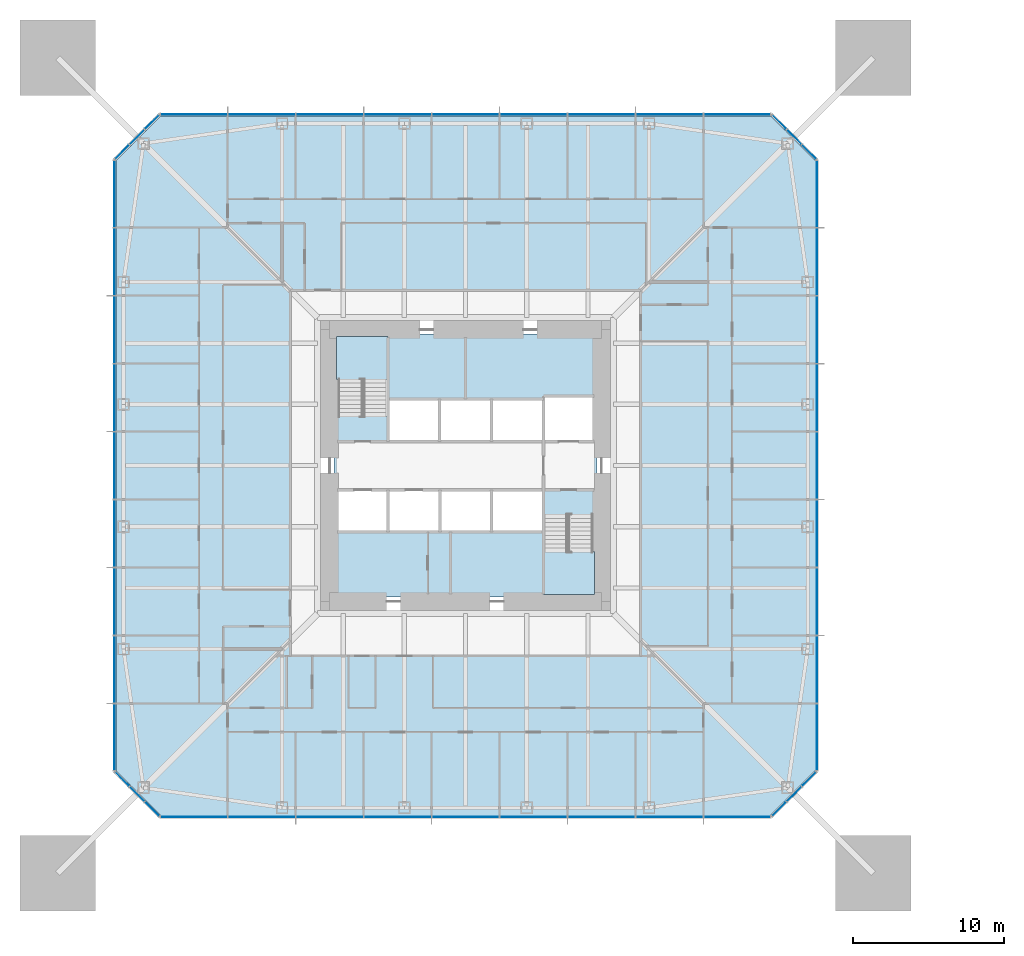
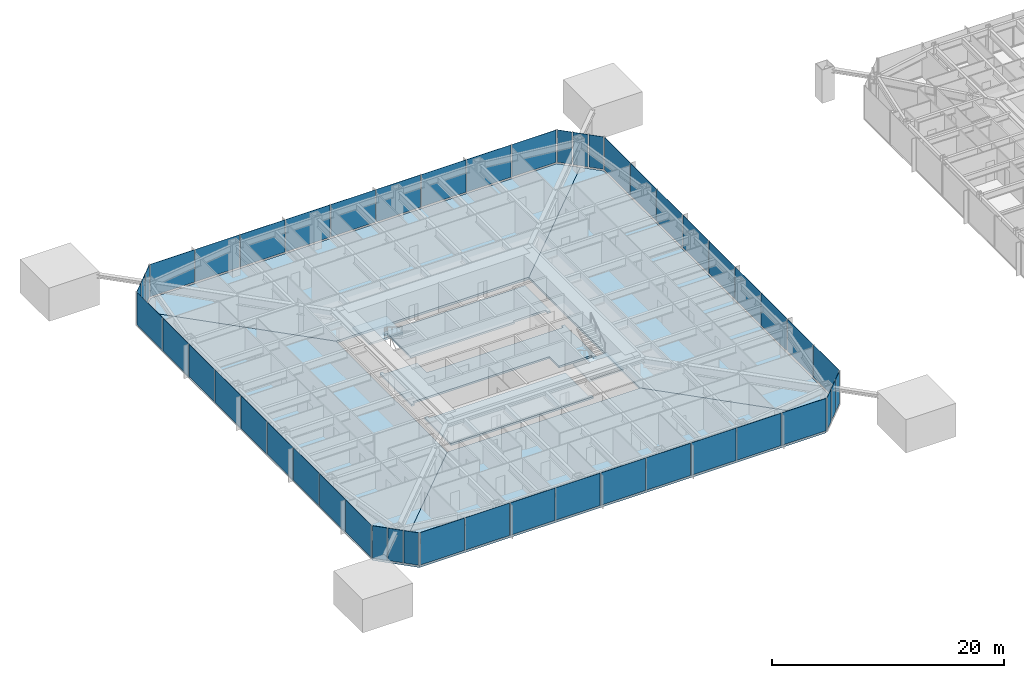
# One storey, part 12 of 26: 48 plates, 9 slabs, 10 elements without a shape of their own.
"""IFC4 building model written with IfcOpenShell, lengths in metres."""

import ifcopenshell
import ifcopenshell.guid

model = None  # the IFC model being written
_history = None  # IfcOwnerHistory: only IFC2X3 demands one
_inside = {}  # id of a spatial element -> (the spatial element, [elements in it])
_under = {}  # id of a project, library or spatial element -> (it, [spatial elements below it])
_declared = {}  # id of a project -> (the project, [libraries it declares])
_typed = {}  # id of a type object -> (the type object, [elements of that type])
_made_of = {}  # id of a material, layer set ... -> (it, [elements and type objects made of it])


def new_model(schema):
    """Start an empty IFC model of exactly this schema.

    Asked for "IFC4X3", IfcOpenShell would pick the latest addendum, in which some entities
    have other attributes; the version numbers below select the first issue.
    IFC2X3 requires an IfcOwnerHistory on every rooted entity: one is made here for all.
    """
    global model, _history
    if schema == "IFC4X3":
        model = ifcopenshell.file(schema_version=(4, 3, 0, 0))
    else:
        model = ifcopenshell.file(schema=schema)
    _inside.clear()
    _under.clear()
    _declared.clear()
    _typed.clear()
    _made_of.clear()
    _history = None
    if model.schema == "IFC2X3":
        org = make("IfcOrganization", Name="unknown")
        user = make(
            "IfcPersonAndOrganization",
            ThePerson=make("IfcPerson", FamilyName="unknown"),
            TheOrganization=org,
        )
        app = make(
            "IfcApplication",
            ApplicationDeveloper=org,
            Version="unknown",
            ApplicationFullName="unknown",
            ApplicationIdentifier="unknown",
        )
        _history = make(
            "IfcOwnerHistory",
            OwningUser=user,
            OwningApplication=app,
            ChangeAction="ADDED",
            CreationDate=0,
        )
    return model


def make(cls, **values):
    """One entity of the class cls with the attributes given. An attribute that is None is left unset."""
    return model.create_entity(
        cls, **{name: value for name, value in values.items() if value is not None}
    )


def rooted(cls, **values):
    """An entity with a GlobalId (a new one), such as an element, a storey or a relation."""
    return make(cls, GlobalId=ifcopenshell.guid.new(), OwnerHistory=_history, **values)


def si_unit(unit_type, name, prefix=None):
    """IfcSIUnit, for example si_unit("LENGTHUNIT", "METRE", prefix="MILLI")."""
    return make("IfcSIUnit", UnitType=unit_type, Prefix=prefix, Name=name)


def assignment(units):
    """IfcUnitAssignment: the units of a project."""
    return None if units is None else make("IfcUnitAssignment", Units=units)


def point(xyz):
    """IfcCartesianPoint."""
    return None if xyz is None else make("IfcCartesianPoint", Coordinates=xyz)


def direction(xyz):
    """IfcDirection."""
    return None if xyz is None else make("IfcDirection", DirectionRatios=xyz)


def frame(location, z_axis=None, x_axis=None):
    """IfcAxis2Placement3D, a coordinate frame: its origin and axes. An axis left out is left unset."""
    return make(
        "IfcAxis2Placement3D",
        Location=point(location),
        Axis=direction(z_axis),
        RefDirection=direction(x_axis),
    )


def frame_2d(location, x_axis=None):
    """IfcAxis2Placement2D, a coordinate frame in the plane: its origin and x axis."""
    return make(
        "IfcAxis2Placement2D", Location=point(location), RefDirection=direction(x_axis)
    )


def origin():
    """The frame at (0, 0, 0) with its axes left unset."""
    return frame((0.0, 0.0, 0.0))


def origin_2d():
    """The frame at (0, 0) in the plane with its x axis left unset."""
    return frame_2d((0.0, 0.0))


def place(relative_to, where):
    """IfcLocalPlacement: puts the frame where relative to a parent placement (None: the world)."""
    return make(
        "IfcLocalPlacement", PlacementRelTo=relative_to, RelativePlacement=where
    )


def context(
    kind, dimensions, precision=None, world=None, true_north=None, identifier=None
):
    """IfcGeometricRepresentationContext, for example the 3D "Model" context."""
    return make(
        "IfcGeometricRepresentationContext",
        ContextIdentifier=identifier,
        ContextType=kind,
        CoordinateSpaceDimension=dimensions,
        Precision=precision,
        WorldCoordinateSystem=world,
        TrueNorth=true_north,
    )


def subcontext(parent, identifier, kind, view, scale=None):
    """IfcGeometricRepresentationSubContext, for example "Body" below "Model"."""
    return make(
        "IfcGeometricRepresentationSubContext",
        ContextIdentifier=identifier,
        ContextType=kind,
        ParentContext=parent,
        TargetScale=scale,
        TargetView=view,
    )


def project(units=None, contexts=None):
    """IfcProject with its units and contexts."""
    return rooted(
        "IfcProject",
        Name="project",
        RepresentationContexts=contexts,
        UnitsInContext=assignment(units),
    )


def spatial(cls, under=None, at=None, **own):
    """A site, building, storey or space (cls), placed at a placement, below another one or the project."""
    s = rooted(cls, ObjectPlacement=at, **own)
    if under is not None:
        _under.setdefault(under.id(), (under, []))[1].append(s)
    return s


def polyline(points):
    """IfcPolyline through the points."""
    return make("IfcPolyline", Points=[point(p) for p in points])


def profile(cls, at=None, kind="AREA", **sizes):
    """A parametric profile (cls). Its sizes go by their IFC names, for example OverallWidth=200.0."""
    return make(cls, ProfileType=kind, Position=at, **sizes)


def rectangle(**sizes):
    """IfcRectangleProfileDef."""
    return profile("IfcRectangleProfileDef", **sizes)


def outline(outer, holes=None, kind="AREA"):
    """IfcArbitraryClosedProfileDef: a profile drawn as a closed curve; with holes, ...WithVoids."""
    if holes is None:
        return make("IfcArbitraryClosedProfileDef", ProfileType=kind, OuterCurve=outer)
    return make(
        "IfcArbitraryProfileDefWithVoids",
        ProfileType=kind,
        OuterCurve=outer,
        InnerCurves=holes,
    )


def extrude(swept, where, along, depth):
    """IfcExtrudedAreaSolid: the profile swept, set in the frame where, extruded along a direction by depth."""
    return make(
        "IfcExtrudedAreaSolid",
        SweptArea=swept,
        Position=where,
        ExtrudedDirection=direction(along),
        Depth=depth,
    )


def shape(context_of_items, identifier, shape_type, items):
    """IfcShapeRepresentation: the items that make up one representation, for example the "Body"."""
    return make(
        "IfcShapeRepresentation",
        ContextOfItems=context_of_items,
        RepresentationIdentifier=identifier,
        RepresentationType=shape_type,
        Items=items,
    )


def material(Name=None, Category=None):
    """IfcMaterial."""
    return make("IfcMaterial", Name=Name, Category=Category)


def layer(
    of_material, thickness, ventilated=None, Name=None, Category=None, Priority=None
):
    """IfcMaterialLayer: one layer of a wall or slab, of a material (None: an air gap)."""
    return make(
        "IfcMaterialLayer",
        Material=of_material,
        LayerThickness=thickness,
        IsVentilated=ventilated,
        Name=Name,
        Category=Category,
        Priority=Priority,
    )


def layer_set(layers, Name=None):
    """IfcMaterialLayerSet."""
    return make("IfcMaterialLayerSet", MaterialLayers=layers, LayerSetName=Name)


def constituent(of_material, Name=None, Category=None, fraction=None):
    """IfcMaterialConstituent: one of the materials an element consists of."""
    return make(
        "IfcMaterialConstituent",
        Name=Name,
        Material=of_material,
        Fraction=fraction,
        Category=Category,
    )


def constituent_set(constituents=None, Name=None):
    """IfcMaterialConstituentSet."""
    return make(
        "IfcMaterialConstituentSet", Name=Name, MaterialConstituents=constituents
    )


def made_of(thing, what):
    """Note that an element or type object is made of a material, layer set ...; save() writes the relation."""
    if what is not None:
        _made_of.setdefault(what.id(), (what, []))[1].append(thing)
    return thing


def type_object(cls, material=None, **own):
    """A type object (cls), such as IfcWallType, which elements share."""
    return made_of(rooted(cls, **own), material)


def element(
    cls,
    number,
    at=None,
    inside=None,
    cuts=None,
    type_object=None,
    material=None,
    context=None,
    identifier="Body",
    shape_type=None,
    held_by="IfcProductDefinitionShape",
    body=None,
    shapes=None,
    **own,
):
    """One element of the class cls, such as IfcWall. Its Tag is "e" and its number.

    at: its placement. inside: the storey or other place that contains it. cuts: it is an
    opening in that element (IfcRelVoidsElement). A single representation is given by context,
    identifier, shape_type and body (its items); several are given by shapes. held_by: the class
    of the entity that holds the representations. save() writes the other relations.
    """
    e = rooted(cls, Tag="e%d" % number, ObjectPlacement=at, **own)
    if body is not None:
        shapes = [shape(context, identifier, shape_type, body)]
    if shapes is not None:
        e.Representation = make(held_by, Representations=shapes)
    if inside is not None:
        _inside.setdefault(inside.id(), (inside, []))[1].append(e)
    if cuts is not None:
        rooted(
            "IfcRelVoidsElement", RelatingBuildingElement=cuts, RelatedOpeningElement=e
        )
    if type_object is not None:
        _typed.setdefault(type_object.id(), (type_object, []))[1].append(e)
    return made_of(e, material)


def aggregate(whole, parts):
    """IfcRelAggregates: a whole, such as a stair, and the parts it consists of."""
    return rooted("IfcRelAggregates", RelatingObject=whole, RelatedObjects=parts)


def save(model, path):
    """Write the relations noted so far, then the file.

    IfcRelAggregates (storeys below a building ...), IfcRelContainedInSpatialStructure (elements
    in a storey), IfcRelDefinesByType, IfcRelAssociatesMaterial and IfcRelDeclares: one each for
    every whole, place, type object, material and project.
    """
    for whole, parts in _under.values():
        aggregate(whole, parts)
    for where, things in _inside.values():
        rooted(
            "IfcRelContainedInSpatialStructure",
            RelatedElements=things,
            RelatingStructure=where,
        )
    for kind, things in _typed.values():
        rooted("IfcRelDefinesByType", RelatedObjects=things, RelatingType=kind)
    for what, things in _made_of.values():
        rooted("IfcRelAssociatesMaterial", RelatedObjects=things, RelatingMaterial=what)
    for by, libraries in _declared.values():
        rooted("IfcRelDeclares", RelatingContext=by, RelatedDefinitions=libraries)
    model.write(path)


model = new_model("IFC4")

# Units and contexts
model_context = context("Model", 3, precision=1e-05, world=origin(), true_north=direction((0.0, 1.0)))
body_context = subcontext(model_context, "Body", "Model", "MODEL_VIEW")
ifc_project = project(units=[si_unit("LENGTHUNIT", "METRE"), si_unit("AREAUNIT", "SQUARE_METRE"), si_unit("VOLUMEUNIT", "CUBIC_METRE"), si_unit("PLANEANGLEUNIT", "RADIAN"), si_unit("MASSUNIT", "GRAM", prefix="KILO")], contexts=[model_context])

# Site, building, storey
site_placement = place(None, origin())
site = spatial("IfcSite", under=ifc_project, at=site_placement, CompositionType="ELEMENT")
building_placement = place(site_placement, origin())
building = spatial("IfcBuilding", under=site, at=building_placement, Name="Iwan Alto Co-Living Towers", CompositionType="ELEMENT")
storey_placement = place(building_placement, frame((0.0, 0.0, 18.5)))
storey = spatial("IfcBuildingStorey", under=building, at=storey_placement, Name="L04", CompositionType="ELEMENT", Elevation=18.5)

# Slabs
ifc_material_1 = material(Name="Concrete f'c 30 MPa", Category="concrete")
ifc_layer_1 = layer(ifc_material_1, 0.199951171875)
ifc_layer_set_1 = layer_set([ifc_layer_1], Name="CORE FLOOR SLAB 200")
slab_type_1 = type_object("IfcSlabType", Name="CORE FLOOR SLAB 200", PredefinedType="FLOOR", material=ifc_layer_set_1)
slab_1_placement = place(storey_placement, frame((0.0, 0.0, -0.199951171875)))
element("IfcSlab", 1, at=slab_1_placement, inside=storey, type_object=slab_type_1, Name="T1 core floor L04", PredefinedType="FLOOR", context=body_context, shape_type="SweptSolid", body=[
    extrude(outline(polyline([(8.699951171875, -3.580078125), (8.39990234375, -3.580078125), (8.39990234375, -3.27001953125), (5.14990234375, -3.27001953125), (5.14990234375, -1.60009765625), (1.72509765625, -1.60009765625), (-1.699951171875, -1.60009765625), (-5.125, -1.60009765625), (-8.39990234375, -1.60009765625), (-8.39990234375, -1.909912109375), (-8.699951171875, -1.909912109375), (-8.699951171875, 3.580078125), (-8.39990234375, 3.580078125), (-8.39990234375, 3.27001953125), (-5.14990234375, 3.27001953125), (-5.14990234375, 1.60009765625), (-1.717041015625, 1.60009765625), (1.717041015625, 1.60009765625), (5.14990234375, 1.60009765625), (8.39990234375, 1.60009765625), (8.39990234375, 1.909912109375), (8.699951171875, 1.909912109375), (8.699951171875, -3.580078125)])), origin(), (0.0, 0.0, 1.0), 0.199951171875),
])
slab_2_placement = place(storey_placement, frame((0.0, 0.0, -0.199951171875)))
element("IfcSlab", 2, at=slab_2_placement, inside=storey, type_object=slab_type_1, Name="T1 core floor L04", PredefinedType="FLOOR", context=body_context, shape_type="SweptSolid", body=[
    extrude(outline(polyline([(-1.699951171875, -4.39990234375), (1.72509765625, -4.39990234375), (5.14990234375, -4.39990234375), (5.14990234375, -8.39990234375), (5.4599609375, -8.39990234375), (5.4599609375, -8.699951171875), (-8.699951171875, -8.699951171875), (-8.699951171875, -4.090087890625), (-8.39990234375, -4.090087890625), (-8.39990234375, -4.39990234375), (-5.125, -4.39990234375), (-1.699951171875, -4.39990234375)])), origin(), (0.0, 0.0, 1.0), 0.199951171875),
])
slab_3_placement = place(storey_placement, frame((0.0, 0.0, -0.199951171875)))
element("IfcSlab", 3, at=slab_3_placement, inside=storey, type_object=slab_type_1, Name="T1 core floor L04", PredefinedType="FLOOR", context=body_context, shape_type="SweptSolid", body=[
    extrude(outline(polyline([(1.717041015625, 4.39990234375), (-1.717041015625, 4.39990234375), (-5.14990234375, 4.39990234375), (-5.14990234375, 8.39990234375), (-5.4599609375, 8.39990234375), (-5.4599609375, 8.699951171875), (8.699951171875, 8.699951171875), (8.699951171875, 4.2900390625), (8.39990234375, 4.2900390625), (8.39990234375, 4.60009765625), (5.14990234375, 4.60009765625), (5.14990234375, 4.39990234375), (1.717041015625, 4.39990234375)])), origin(), (0.0, 0.0, 1.0), 0.199951171875),
])

# Curtain wall, plates
ifc_material_2 = material(Name="Bronze aluminium unitised frame", Category="aluminium")
curtain_wall_type_1 = type_object("IfcCurtainWallType", Name="CURTAIN WALL CW-A", PredefinedType="NOTDEFINED", material=ifc_material_2)
curtain_wall_1_placement = place(storey_placement, origin())
curtain_wall_1 = element("IfcCurtainWall", 4, at=curtain_wall_1_placement, inside=storey, type_object=curtain_wall_type_1, Name="T1 curtain wall S L04", PredefinedType="NOTDEFINED")
ifc_material_3 = material(Name="Bronze-tinted insulating glass", Category="glass")
ifc_layer_2 = layer(ifc_material_3, 0.031982421875)
ifc_layer_set_2 = layer_set([ifc_layer_2], Name="CW-A PANEL TINTED IGU 32")
plate_type_1 = type_object("IfcPlateType", Name="CW-A PANEL TINTED IGU 32", PredefinedType="CURTAIN_PANEL", material=ifc_layer_set_2)
plate_1_placement = place(storey_placement, frame((-17.97998046875, -23.25, 0.10009765625), z_axis=(0.0, 0.0, 1.0), x_axis=(1.0, 0.0, 0.0)))
plate_1 = element("IfcPlate", 5, at=plate_1_placement, type_object=plate_type_1, Name="CW-A panel 1.1", PredefinedType="CURTAIN_PANEL", context=body_context, shape_type="SweptSolid", body=[
    extrude(rectangle(XDim=4.3798828125, YDim=0.031982421875, at=origin_2d()), origin(), (0.0, 0.0, 1.0), 3.39990234375),
])
plate_2_placement = place(storey_placement, frame((-13.5, -23.25, 0.10009765625), z_axis=(0.0, 0.0, 1.0), x_axis=(1.0, 0.0, 0.0)))
plate_2 = element("IfcPlate", 6, at=plate_2_placement, type_object=plate_type_1, Name="CW-A panel 2.1", PredefinedType="CURTAIN_PANEL", context=body_context, shape_type="SweptSolid", body=[
    extrude(rectangle(XDim=4.419921875, YDim=0.031982421875, at=origin_2d()), origin(), (0.0, 0.0, 1.0), 3.39990234375),
])
plate_3_placement = place(storey_placement, frame((-9.0, -23.25, 0.10009765625), z_axis=(0.0, 0.0, 1.0), x_axis=(1.0, 0.0, 0.0)))
plate_3 = element("IfcPlate", 7, at=plate_3_placement, type_object=plate_type_1, Name="CW-A panel 3.1", PredefinedType="CURTAIN_PANEL", context=body_context, shape_type="SweptSolid", body=[
    extrude(rectangle(XDim=4.419921875, YDim=0.031982421875, at=origin_2d()), origin(), (0.0, 0.0, 1.0), 3.39990234375),
])
plate_4_placement = place(storey_placement, frame((-4.5, -23.25, 0.10009765625), z_axis=(0.0, 0.0, 1.0), x_axis=(1.0, 0.0, 0.0)))
plate_4 = element("IfcPlate", 8, at=plate_4_placement, type_object=plate_type_1, Name="CW-A panel 4.1", PredefinedType="CURTAIN_PANEL", context=body_context, shape_type="SweptSolid", body=[
    extrude(rectangle(XDim=4.419921875, YDim=0.031982421875, at=origin_2d()), origin(), (0.0, 0.0, 1.0), 3.39990234375),
])
plate_5_placement = place(storey_placement, frame((0.0, -23.25, 0.10009765625), z_axis=(0.0, 0.0, 1.0), x_axis=(1.0, 0.0, 0.0)))
plate_5 = element("IfcPlate", 9, at=plate_5_placement, type_object=plate_type_1, Name="CW-A panel 5.1", PredefinedType="CURTAIN_PANEL", context=body_context, shape_type="SweptSolid", body=[
    extrude(rectangle(XDim=4.419921875, YDim=0.031982421875, at=origin_2d()), origin(), (0.0, 0.0, 1.0), 3.39990234375),
])
plate_6_placement = place(storey_placement, frame((4.5, -23.25, 0.10009765625), z_axis=(0.0, 0.0, 1.0), x_axis=(1.0, 0.0, 0.0)))
plate_6 = element("IfcPlate", 10, at=plate_6_placement, type_object=plate_type_1, Name="CW-A panel 6.1", PredefinedType="CURTAIN_PANEL", context=body_context, shape_type="SweptSolid", body=[
    extrude(rectangle(XDim=4.419921875, YDim=0.031982421875, at=origin_2d()), origin(), (0.0, 0.0, 1.0), 3.39990234375),
])
plate_7_placement = place(storey_placement, frame((9.0, -23.25, 0.10009765625), z_axis=(0.0, 0.0, 1.0), x_axis=(1.0, 0.0, 0.0)))
plate_7 = element("IfcPlate", 11, at=plate_7_placement, type_object=plate_type_1, Name="CW-A panel 7.1", PredefinedType="CURTAIN_PANEL", context=body_context, shape_type="SweptSolid", body=[
    extrude(rectangle(XDim=4.419921875, YDim=0.031982421875, at=origin_2d()), origin(), (0.0, 0.0, 1.0), 3.39990234375),
])
plate_8_placement = place(storey_placement, frame((13.5, -23.25, 0.10009765625), z_axis=(0.0, 0.0, 1.0), x_axis=(1.0, 0.0, 0.0)))
plate_8 = element("IfcPlate", 12, at=plate_8_placement, type_object=plate_type_1, Name="CW-A panel 8.1", PredefinedType="CURTAIN_PANEL", context=body_context, shape_type="SweptSolid", body=[
    extrude(rectangle(XDim=4.419921875, YDim=0.031982421875, at=origin_2d()), origin(), (0.0, 0.0, 1.0), 3.39990234375),
])
plate_9_placement = place(storey_placement, frame((17.97998046875, -23.25, 0.10009765625), z_axis=(0.0, 0.0, 1.0), x_axis=(1.0, 0.0, 0.0)))
plate_9 = element("IfcPlate", 13, at=plate_9_placement, type_object=plate_type_1, Name="CW-A panel 9.1", PredefinedType="CURTAIN_PANEL", context=body_context, shape_type="SweptSolid", body=[
    extrude(rectangle(XDim=4.3798828125, YDim=0.031982421875, at=origin_2d()), origin(), (0.0, 0.0, 1.0), 3.39990234375),
])
aggregate(curtain_wall_1, [plate_1, plate_2, plate_3, plate_4, plate_5, plate_6, plate_7, plate_8, plate_9])

curtain_wall_2_placement = place(storey_placement, origin())
curtain_wall_2 = element("IfcCurtainWall", 14, at=curtain_wall_2_placement, inside=storey, type_object=curtain_wall_type_1, Name="T1 curtain wall E L04", PredefinedType="NOTDEFINED")
plate_10_placement = place(storey_placement, frame((23.25, -17.97998046875, 0.10009765625), z_axis=(0.0, 0.0, 1.0), x_axis=(0.0, 1.0, 0.0)))
plate_10 = element("IfcPlate", 15, at=plate_10_placement, type_object=plate_type_1, Name="CW-A panel 1.1", PredefinedType="CURTAIN_PANEL", context=body_context, shape_type="SweptSolid", body=[
    extrude(rectangle(XDim=4.3798828125, YDim=0.031982421875, at=origin_2d()), origin(), (0.0, 0.0, 1.0), 3.39990234375),
])
plate_11_placement = place(storey_placement, frame((23.25, -13.5, 0.10009765625), z_axis=(0.0, 0.0, 1.0), x_axis=(0.0, 1.0, 0.0)))
plate_11 = element("IfcPlate", 16, at=plate_11_placement, type_object=plate_type_1, Name="CW-A panel 2.1", PredefinedType="CURTAIN_PANEL", context=body_context, shape_type="SweptSolid", body=[
    extrude(rectangle(XDim=4.419921875, YDim=0.031982421875, at=origin_2d()), origin(), (0.0, 0.0, 1.0), 3.39990234375),
])
plate_12_placement = place(storey_placement, frame((23.25, -9.0, 0.10009765625), z_axis=(0.0, 0.0, 1.0), x_axis=(0.0, 1.0, 0.0)))
plate_12 = element("IfcPlate", 17, at=plate_12_placement, type_object=plate_type_1, Name="CW-A panel 3.1", PredefinedType="CURTAIN_PANEL", context=body_context, shape_type="SweptSolid", body=[
    extrude(rectangle(XDim=4.419921875, YDim=0.031982421875, at=origin_2d()), origin(), (0.0, 0.0, 1.0), 3.39990234375),
])
plate_13_placement = place(storey_placement, frame((23.25, -4.5, 0.10009765625), z_axis=(0.0, 0.0, 1.0), x_axis=(0.0, 1.0, 0.0)))
plate_13 = element("IfcPlate", 18, at=plate_13_placement, type_object=plate_type_1, Name="CW-A panel 4.1", PredefinedType="CURTAIN_PANEL", context=body_context, shape_type="SweptSolid", body=[
    extrude(rectangle(XDim=4.419921875, YDim=0.031982421875, at=origin_2d()), origin(), (0.0, 0.0, 1.0), 3.39990234375),
])
plate_14_placement = place(storey_placement, frame((23.25, 0.0, 0.10009765625), z_axis=(0.0, 0.0, 1.0), x_axis=(0.0, 1.0, 0.0)))
plate_14 = element("IfcPlate", 19, at=plate_14_placement, type_object=plate_type_1, Name="CW-A panel 5.1", PredefinedType="CURTAIN_PANEL", context=body_context, shape_type="SweptSolid", body=[
    extrude(rectangle(XDim=4.419921875, YDim=0.031982421875, at=origin_2d()), origin(), (0.0, 0.0, 1.0), 3.39990234375),
])
plate_15_placement = place(storey_placement, frame((23.25, 4.5, 0.10009765625), z_axis=(0.0, 0.0, 1.0), x_axis=(0.0, 1.0, 0.0)))
plate_15 = element("IfcPlate", 20, at=plate_15_placement, type_object=plate_type_1, Name="CW-A panel 6.1", PredefinedType="CURTAIN_PANEL", context=body_context, shape_type="SweptSolid", body=[
    extrude(rectangle(XDim=4.419921875, YDim=0.031982421875, at=origin_2d()), origin(), (0.0, 0.0, 1.0), 3.39990234375),
])
plate_16_placement = place(storey_placement, frame((23.25, 9.0, 0.10009765625), z_axis=(0.0, 0.0, 1.0), x_axis=(0.0, 1.0, 0.0)))
plate_16 = element("IfcPlate", 21, at=plate_16_placement, type_object=plate_type_1, Name="CW-A panel 7.1", PredefinedType="CURTAIN_PANEL", context=body_context, shape_type="SweptSolid", body=[
    extrude(rectangle(XDim=4.419921875, YDim=0.031982421875, at=origin_2d()), origin(), (0.0, 0.0, 1.0), 3.39990234375),
])
plate_17_placement = place(storey_placement, frame((23.25, 13.5, 0.10009765625), z_axis=(0.0, 0.0, 1.0), x_axis=(0.0, 1.0, 0.0)))
plate_17 = element("IfcPlate", 22, at=plate_17_placement, type_object=plate_type_1, Name="CW-A panel 8.1", PredefinedType="CURTAIN_PANEL", context=body_context, shape_type="SweptSolid", body=[
    extrude(rectangle(XDim=4.419921875, YDim=0.031982421875, at=origin_2d()), origin(), (0.0, 0.0, 1.0), 3.39990234375),
])
plate_18_placement = place(storey_placement, frame((23.25, 17.97998046875, 0.10009765625), z_axis=(0.0, 0.0, 1.0), x_axis=(0.0, 1.0, 0.0)))
plate_18 = element("IfcPlate", 23, at=plate_18_placement, type_object=plate_type_1, Name="CW-A panel 9.1", PredefinedType="CURTAIN_PANEL", context=body_context, shape_type="SweptSolid", body=[
    extrude(rectangle(XDim=4.3798828125, YDim=0.031982421875, at=origin_2d()), origin(), (0.0, 0.0, 1.0), 3.39990234375),
])
aggregate(curtain_wall_2, [plate_10, plate_11, plate_12, plate_13, plate_14, plate_15, plate_16, plate_17, plate_18])

curtain_wall_3_placement = place(storey_placement, origin())
curtain_wall_3 = element("IfcCurtainWall", 24, at=curtain_wall_3_placement, inside=storey, type_object=curtain_wall_type_1, Name="T1 curtain wall N L04", PredefinedType="NOTDEFINED")
plate_19_placement = place(storey_placement, frame((17.97998046875, 23.25, 0.10009765625), z_axis=(0.0, 0.0, 1.0), x_axis=(-1.0, 0.0, 0.0)))
plate_19 = element("IfcPlate", 25, at=plate_19_placement, type_object=plate_type_1, Name="CW-A panel 1.1", PredefinedType="CURTAIN_PANEL", context=body_context, shape_type="SweptSolid", body=[
    extrude(rectangle(XDim=4.3798828125, YDim=0.031982421875, at=origin_2d()), origin(), (0.0, 0.0, 1.0), 3.39990234375),
])
plate_20_placement = place(storey_placement, frame((13.5, 23.25, 0.10009765625), z_axis=(0.0, 0.0, 1.0), x_axis=(-1.0, 0.0, 0.0)))
plate_20 = element("IfcPlate", 26, at=plate_20_placement, type_object=plate_type_1, Name="CW-A panel 2.1", PredefinedType="CURTAIN_PANEL", context=body_context, shape_type="SweptSolid", body=[
    extrude(rectangle(XDim=4.419921875, YDim=0.031982421875, at=origin_2d()), origin(), (0.0, 0.0, 1.0), 3.39990234375),
])
plate_21_placement = place(storey_placement, frame((9.0, 23.25, 0.10009765625), z_axis=(0.0, 0.0, 1.0), x_axis=(-1.0, 0.0, 0.0)))
plate_21 = element("IfcPlate", 27, at=plate_21_placement, type_object=plate_type_1, Name="CW-A panel 3.1", PredefinedType="CURTAIN_PANEL", context=body_context, shape_type="SweptSolid", body=[
    extrude(rectangle(XDim=4.419921875, YDim=0.031982421875, at=origin_2d()), origin(), (0.0, 0.0, 1.0), 3.39990234375),
])
plate_22_placement = place(storey_placement, frame((4.5, 23.25, 0.10009765625), z_axis=(0.0, 0.0, 1.0), x_axis=(-1.0, 0.0, 0.0)))
plate_22 = element("IfcPlate", 28, at=plate_22_placement, type_object=plate_type_1, Name="CW-A panel 4.1", PredefinedType="CURTAIN_PANEL", context=body_context, shape_type="SweptSolid", body=[
    extrude(rectangle(XDim=4.419921875, YDim=0.031982421875, at=origin_2d()), origin(), (0.0, 0.0, 1.0), 3.39990234375),
])
plate_23_placement = place(storey_placement, frame((0.0, 23.25, 0.10009765625), z_axis=(0.0, 0.0, 1.0), x_axis=(-1.0, 0.0, 0.0)))
plate_23 = element("IfcPlate", 29, at=plate_23_placement, type_object=plate_type_1, Name="CW-A panel 5.1", PredefinedType="CURTAIN_PANEL", context=body_context, shape_type="SweptSolid", body=[
    extrude(rectangle(XDim=4.419921875, YDim=0.031982421875, at=origin_2d()), origin(), (0.0, 0.0, 1.0), 3.39990234375),
])
plate_24_placement = place(storey_placement, frame((-4.5, 23.25, 0.10009765625), z_axis=(0.0, 0.0, 1.0), x_axis=(-1.0, 0.0, 0.0)))
plate_24 = element("IfcPlate", 30, at=plate_24_placement, type_object=plate_type_1, Name="CW-A panel 6.1", PredefinedType="CURTAIN_PANEL", context=body_context, shape_type="SweptSolid", body=[
    extrude(rectangle(XDim=4.419921875, YDim=0.031982421875, at=origin_2d()), origin(), (0.0, 0.0, 1.0), 3.39990234375),
])
plate_25_placement = place(storey_placement, frame((-9.0, 23.25, 0.10009765625), z_axis=(0.0, 0.0, 1.0), x_axis=(-1.0, 0.0, 0.0)))
plate_25 = element("IfcPlate", 31, at=plate_25_placement, type_object=plate_type_1, Name="CW-A panel 7.1", PredefinedType="CURTAIN_PANEL", context=body_context, shape_type="SweptSolid", body=[
    extrude(rectangle(XDim=4.419921875, YDim=0.031982421875, at=origin_2d()), origin(), (0.0, 0.0, 1.0), 3.39990234375),
])
plate_26_placement = place(storey_placement, frame((-13.5, 23.25, 0.10009765625), z_axis=(0.0, 0.0, 1.0), x_axis=(-1.0, 0.0, 0.0)))
plate_26 = element("IfcPlate", 32, at=plate_26_placement, type_object=plate_type_1, Name="CW-A panel 8.1", PredefinedType="CURTAIN_PANEL", context=body_context, shape_type="SweptSolid", body=[
    extrude(rectangle(XDim=4.419921875, YDim=0.031982421875, at=origin_2d()), origin(), (0.0, 0.0, 1.0), 3.39990234375),
])
plate_27_placement = place(storey_placement, frame((-17.97998046875, 23.25, 0.10009765625), z_axis=(0.0, 0.0, 1.0), x_axis=(-1.0, 0.0, 0.0)))
plate_27 = element("IfcPlate", 33, at=plate_27_placement, type_object=plate_type_1, Name="CW-A panel 9.1", PredefinedType="CURTAIN_PANEL", context=body_context, shape_type="SweptSolid", body=[
    extrude(rectangle(XDim=4.3798828125, YDim=0.031982421875, at=origin_2d()), origin(), (0.0, 0.0, 1.0), 3.39990234375),
])
aggregate(curtain_wall_3, [plate_19, plate_20, plate_21, plate_22, plate_23, plate_24, plate_25, plate_26, plate_27])

curtain_wall_4_placement = place(storey_placement, origin())
curtain_wall_4 = element("IfcCurtainWall", 34, at=curtain_wall_4_placement, inside=storey, type_object=curtain_wall_type_1, Name="T1 curtain wall W L04", PredefinedType="NOTDEFINED")
plate_28_placement = place(storey_placement, frame((-23.25, 17.97998046875, 0.10009765625), z_axis=(0.0, 0.0, 1.0), x_axis=(0.0, -1.0, 0.0)))
plate_28 = element("IfcPlate", 35, at=plate_28_placement, type_object=plate_type_1, Name="CW-A panel 1.1", PredefinedType="CURTAIN_PANEL", context=body_context, shape_type="SweptSolid", body=[
    extrude(rectangle(XDim=4.3798828125, YDim=0.031982421875, at=origin_2d()), origin(), (0.0, 0.0, 1.0), 3.39990234375),
])
plate_29_placement = place(storey_placement, frame((-23.25, 13.5, 0.10009765625), z_axis=(0.0, 0.0, 1.0), x_axis=(0.0, -1.0, 0.0)))
plate_29 = element("IfcPlate", 36, at=plate_29_placement, type_object=plate_type_1, Name="CW-A panel 2.1", PredefinedType="CURTAIN_PANEL", context=body_context, shape_type="SweptSolid", body=[
    extrude(rectangle(XDim=4.419921875, YDim=0.031982421875, at=origin_2d()), origin(), (0.0, 0.0, 1.0), 3.39990234375),
])
plate_30_placement = place(storey_placement, frame((-23.25, 9.0, 0.10009765625), z_axis=(0.0, 0.0, 1.0), x_axis=(0.0, -1.0, 0.0)))
plate_30 = element("IfcPlate", 37, at=plate_30_placement, type_object=plate_type_1, Name="CW-A panel 3.1", PredefinedType="CURTAIN_PANEL", context=body_context, shape_type="SweptSolid", body=[
    extrude(rectangle(XDim=4.419921875, YDim=0.031982421875, at=origin_2d()), origin(), (0.0, 0.0, 1.0), 3.39990234375),
])
plate_31_placement = place(storey_placement, frame((-23.25, 4.5, 0.10009765625), z_axis=(0.0, 0.0, 1.0), x_axis=(0.0, -1.0, 0.0)))
plate_31 = element("IfcPlate", 38, at=plate_31_placement, type_object=plate_type_1, Name="CW-A panel 4.1", PredefinedType="CURTAIN_PANEL", context=body_context, shape_type="SweptSolid", body=[
    extrude(rectangle(XDim=4.419921875, YDim=0.031982421875, at=origin_2d()), origin(), (0.0, 0.0, 1.0), 3.39990234375),
])
plate_32_placement = place(storey_placement, frame((-23.25, 0.0, 0.10009765625), z_axis=(0.0, 0.0, 1.0), x_axis=(0.0, -1.0, 0.0)))
plate_32 = element("IfcPlate", 39, at=plate_32_placement, type_object=plate_type_1, Name="CW-A panel 5.1", PredefinedType="CURTAIN_PANEL", context=body_context, shape_type="SweptSolid", body=[
    extrude(rectangle(XDim=4.419921875, YDim=0.031982421875, at=origin_2d()), origin(), (0.0, 0.0, 1.0), 3.39990234375),
])
plate_33_placement = place(storey_placement, frame((-23.25, -4.5, 0.10009765625), z_axis=(0.0, 0.0, 1.0), x_axis=(0.0, -1.0, 0.0)))
plate_33 = element("IfcPlate", 40, at=plate_33_placement, type_object=plate_type_1, Name="CW-A panel 6.1", PredefinedType="CURTAIN_PANEL", context=body_context, shape_type="SweptSolid", body=[
    extrude(rectangle(XDim=4.419921875, YDim=0.031982421875, at=origin_2d()), origin(), (0.0, 0.0, 1.0), 3.39990234375),
])
plate_34_placement = place(storey_placement, frame((-23.25, -9.0, 0.10009765625), z_axis=(0.0, 0.0, 1.0), x_axis=(0.0, -1.0, 0.0)))
plate_34 = element("IfcPlate", 41, at=plate_34_placement, type_object=plate_type_1, Name="CW-A panel 7.1", PredefinedType="CURTAIN_PANEL", context=body_context, shape_type="SweptSolid", body=[
    extrude(rectangle(XDim=4.419921875, YDim=0.031982421875, at=origin_2d()), origin(), (0.0, 0.0, 1.0), 3.39990234375),
])
plate_35_placement = place(storey_placement, frame((-23.25, -13.5, 0.10009765625), z_axis=(0.0, 0.0, 1.0), x_axis=(0.0, -1.0, 0.0)))
plate_35 = element("IfcPlate", 42, at=plate_35_placement, type_object=plate_type_1, Name="CW-A panel 8.1", PredefinedType="CURTAIN_PANEL", context=body_context, shape_type="SweptSolid", body=[
    extrude(rectangle(XDim=4.419921875, YDim=0.031982421875, at=origin_2d()), origin(), (0.0, 0.0, 1.0), 3.39990234375),
])
plate_36_placement = place(storey_placement, frame((-23.25, -17.97998046875, 0.10009765625), z_axis=(0.0, 0.0, 1.0), x_axis=(0.0, -1.0, 0.0)))
plate_36 = element("IfcPlate", 43, at=plate_36_placement, type_object=plate_type_1, Name="CW-A panel 9.1", PredefinedType="CURTAIN_PANEL", context=body_context, shape_type="SweptSolid", body=[
    extrude(rectangle(XDim=4.3798828125, YDim=0.031982421875, at=origin_2d()), origin(), (0.0, 0.0, 1.0), 3.39990234375),
])
aggregate(curtain_wall_4, [plate_28, plate_29, plate_30, plate_31, plate_32, plate_33, plate_34, plate_35, plate_36])

ifc_material_4 = material(Name="Bronze aluminium unitised frame", Category="aluminium")
curtain_wall_type_2 = type_object("IfcCurtainWallType", Name="CURTAIN WALL CW-B", PredefinedType="NOTDEFINED", material=ifc_material_4)
curtain_wall_5_placement = place(storey_placement, origin())
curtain_wall_5 = element("IfcCurtainWall", 44, at=curtain_wall_5_placement, inside=storey, type_object=curtain_wall_type_2, Name="T1 chamfer curtain wall SE L04", PredefinedType="NOTDEFINED")
ifc_material_5 = material(Name="Bronze-tinted insulating glass", Category="glass")
ifc_layer_3 = layer(ifc_material_5, 0.031982421875)
ifc_layer_set_3 = layer_set([ifc_layer_3], Name="CW-B PANEL TINTED IGU 32")
plate_type_2 = type_object("IfcPlateType", Name="CW-B PANEL TINTED IGU 32", PredefinedType="CURTAIN_PANEL", material=ifc_layer_set_3)
plate_37_placement = place(storey_placement, frame((20.76416015625, -22.73583984375, 0.10009765625), z_axis=(0.0, 0.0, 1.0), x_axis=(0.707106781187, 0.707106781187, 0.0)))
plate_37 = element("IfcPlate", 45, at=plate_37_placement, type_object=plate_type_2, Name="CW-B panel 1.1", PredefinedType="CURTAIN_PANEL", context=body_context, shape_type="SweptSolid", body=[
    extrude(rectangle(XDim=1.294189453125, YDim=0.031982421875, at=origin_2d()), origin(), (0.0, 0.0, 1.0), 3.39990234375),
])
plate_38_placement = place(storey_placement, frame((21.75, -21.75, 0.10009765625), z_axis=(0.0, 0.0, 1.0), x_axis=(0.707106781187, 0.707106781187, 0.0)))
plate_38 = element("IfcPlate", 46, at=plate_38_placement, type_object=plate_type_2, Name="CW-B panel 2.1", PredefinedType="CURTAIN_PANEL", context=body_context, shape_type="SweptSolid", body=[
    extrude(rectangle(XDim=1.334228515625, YDim=0.031982421875, at=origin_2d()), origin(), (0.0, 0.0, 1.0), 3.39990234375),
])
plate_39_placement = place(storey_placement, frame((22.73583984375, -20.76416015625, 0.10009765625), z_axis=(0.0, 0.0, 1.0), x_axis=(0.707106781187, 0.707106781187, 0.0)))
plate_39 = element("IfcPlate", 47, at=plate_39_placement, type_object=plate_type_2, Name="CW-B panel 3.1", PredefinedType="CURTAIN_PANEL", context=body_context, shape_type="SweptSolid", body=[
    extrude(rectangle(XDim=1.294189453125, YDim=0.031982421875, at=origin_2d()), origin(), (0.0, 0.0, 1.0), 3.39990234375),
])
aggregate(curtain_wall_5, [plate_37, plate_38, plate_39])

curtain_wall_6_placement = place(storey_placement, origin())
curtain_wall_6 = element("IfcCurtainWall", 48, at=curtain_wall_6_placement, inside=storey, type_object=curtain_wall_type_2, Name="T1 chamfer curtain wall NE L04", PredefinedType="NOTDEFINED")
plate_40_placement = place(storey_placement, frame((22.73583984375, 20.76416015625, 0.10009765625), z_axis=(0.0, 0.0, 1.0), x_axis=(-0.707106781187, 0.707106781187, 0.0)))
plate_40 = element("IfcPlate", 49, at=plate_40_placement, type_object=plate_type_2, Name="CW-B panel 1.1", PredefinedType="CURTAIN_PANEL", context=body_context, shape_type="SweptSolid", body=[
    extrude(rectangle(XDim=1.294189453125, YDim=0.031982421875, at=origin_2d()), origin(), (0.0, 0.0, 1.0), 3.39990234375),
])
plate_41_placement = place(storey_placement, frame((21.75, 21.75, 0.10009765625), z_axis=(0.0, 0.0, 1.0), x_axis=(-0.707106781187, 0.707106781187, 0.0)))
plate_41 = element("IfcPlate", 50, at=plate_41_placement, type_object=plate_type_2, Name="CW-B panel 2.1", PredefinedType="CURTAIN_PANEL", context=body_context, shape_type="SweptSolid", body=[
    extrude(rectangle(XDim=1.334228515625, YDim=0.031982421875, at=origin_2d()), origin(), (0.0, 0.0, 1.0), 3.39990234375),
])
plate_42_placement = place(storey_placement, frame((20.76416015625, 22.73583984375, 0.10009765625), z_axis=(0.0, 0.0, 1.0), x_axis=(-0.707106781187, 0.707106781187, 0.0)))
plate_42 = element("IfcPlate", 51, at=plate_42_placement, type_object=plate_type_2, Name="CW-B panel 3.1", PredefinedType="CURTAIN_PANEL", context=body_context, shape_type="SweptSolid", body=[
    extrude(rectangle(XDim=1.294189453125, YDim=0.031982421875, at=origin_2d()), origin(), (0.0, 0.0, 1.0), 3.39990234375),
])
aggregate(curtain_wall_6, [plate_40, plate_41, plate_42])

curtain_wall_7_placement = place(storey_placement, origin())
curtain_wall_7 = element("IfcCurtainWall", 52, at=curtain_wall_7_placement, inside=storey, type_object=curtain_wall_type_2, Name="T1 chamfer curtain wall NW L04", PredefinedType="NOTDEFINED")
plate_43_placement = place(storey_placement, frame((-20.76416015625, 22.73583984375, 0.10009765625), z_axis=(0.0, 0.0, 1.0), x_axis=(-0.707106781187, -0.707106781187, 0.0)))
plate_43 = element("IfcPlate", 53, at=plate_43_placement, type_object=plate_type_2, Name="CW-B panel 1.1", PredefinedType="CURTAIN_PANEL", context=body_context, shape_type="SweptSolid", body=[
    extrude(rectangle(XDim=1.294189453125, YDim=0.031982421875, at=origin_2d()), origin(), (0.0, 0.0, 1.0), 3.39990234375),
])
plate_44_placement = place(storey_placement, frame((-21.75, 21.75, 0.10009765625), z_axis=(0.0, 0.0, 1.0), x_axis=(-0.707106781187, -0.707106781187, 0.0)))
plate_44 = element("IfcPlate", 54, at=plate_44_placement, type_object=plate_type_2, Name="CW-B panel 2.1", PredefinedType="CURTAIN_PANEL", context=body_context, shape_type="SweptSolid", body=[
    extrude(rectangle(XDim=1.334228515625, YDim=0.031982421875, at=origin_2d()), origin(), (0.0, 0.0, 1.0), 3.39990234375),
])
plate_45_placement = place(storey_placement, frame((-22.73583984375, 20.76416015625, 0.10009765625), z_axis=(0.0, 0.0, 1.0), x_axis=(-0.707106781187, -0.707106781187, 0.0)))
plate_45 = element("IfcPlate", 55, at=plate_45_placement, type_object=plate_type_2, Name="CW-B panel 3.1", PredefinedType="CURTAIN_PANEL", context=body_context, shape_type="SweptSolid", body=[
    extrude(rectangle(XDim=1.294189453125, YDim=0.031982421875, at=origin_2d()), origin(), (0.0, 0.0, 1.0), 3.39990234375),
])
aggregate(curtain_wall_7, [plate_43, plate_44, plate_45])

curtain_wall_8_placement = place(storey_placement, origin())
curtain_wall_8 = element("IfcCurtainWall", 56, at=curtain_wall_8_placement, inside=storey, type_object=curtain_wall_type_2, Name="T1 chamfer curtain wall SW L04", PredefinedType="NOTDEFINED")
plate_46_placement = place(storey_placement, frame((-22.73583984375, -20.76416015625, 0.10009765625), z_axis=(0.0, 0.0, 1.0), x_axis=(0.707106781187, -0.707106781187, 0.0)))
plate_46 = element("IfcPlate", 57, at=plate_46_placement, type_object=plate_type_2, Name="CW-B panel 1.1", PredefinedType="CURTAIN_PANEL", context=body_context, shape_type="SweptSolid", body=[
    extrude(rectangle(XDim=1.294189453125, YDim=0.031982421875, at=origin_2d()), origin(), (0.0, 0.0, 1.0), 3.39990234375),
])
plate_47_placement = place(storey_placement, frame((-21.75, -21.75, 0.10009765625), z_axis=(0.0, 0.0, 1.0), x_axis=(0.707106781187, -0.707106781187, 0.0)))
plate_47 = element("IfcPlate", 58, at=plate_47_placement, type_object=plate_type_2, Name="CW-B panel 2.1", PredefinedType="CURTAIN_PANEL", context=body_context, shape_type="SweptSolid", body=[
    extrude(rectangle(XDim=1.334228515625, YDim=0.031982421875, at=origin_2d()), origin(), (0.0, 0.0, 1.0), 3.39990234375),
])
plate_48_placement = place(storey_placement, frame((-20.76416015625, -22.73583984375, 0.10009765625), z_axis=(0.0, 0.0, 1.0), x_axis=(0.707106781187, -0.707106781187, 0.0)))
plate_48 = element("IfcPlate", 59, at=plate_48_placement, type_object=plate_type_2, Name="CW-B panel 3.1", PredefinedType="CURTAIN_PANEL", context=body_context, shape_type="SweptSolid", body=[
    extrude(rectangle(XDim=1.294189453125, YDim=0.031982421875, at=origin_2d()), origin(), (0.0, 0.0, 1.0), 3.39990234375),
])
aggregate(curtain_wall_8, [plate_46, plate_47, plate_48])

# Stair, slab
ifc_material_6 = material(Name="Steel ASTM A36", Category="steel")
ifc_constituent_1 = constituent(ifc_material_6, Name="Stringers", Category="LoadBearing")
ifc_material_7 = material(Name="Concrete f'c 30 MPa", Category="concrete")
ifc_constituent_2 = constituent(ifc_material_7, Name="Tread fill", Category="Finish")
ifc_constituent_set = constituent_set(constituents=[ifc_constituent_1, ifc_constituent_2], Name="STAIR 3500 TWO-FLIGHT T1 CORE")
stair_type = type_object("IfcStairType", Name="STAIR 3500 TWO-FLIGHT T1 CORE", PredefinedType="HALF_TURN_STAIR", material=ifc_constituent_set)
stair_1_placement = place(storey_placement, origin())
stair_1 = element("IfcStair", 60, at=stair_1_placement, inside=storey, type_object=stair_type, Name="Stair T1-S1 L04 to L05", PredefinedType="HALF_TURN_STAIR")
ifc_material_8 = material(Name="Concrete f'c 30 MPa", Category="concrete")
ifc_layer_4 = layer(ifc_material_8, 0.199951171875)
ifc_layer_set_4 = layer_set([ifc_layer_4], Name="STAIR LANDING 200")
slab_type_2 = type_object("IfcSlabType", Name="STAIR LANDING 200", PredefinedType="LANDING", material=ifc_layer_set_4)
slab_4_placement = place(storey_placement, frame((0.0, 0.0, 1.550048828125)))
slab_4 = element("IfcSlab", 61, at=slab_4_placement, type_object=slab_type_2, Name="T1-S1 landing 1", PredefinedType="LANDING", context=body_context, shape_type="SweptSolid", body=[
    extrude(outline(polyline([(-8.550048828125, 5.68994140625), (-8.550048828125, 8.550048828125), (-5.14990234375, 8.550048828125), (-5.14990234375, 5.68994140625), (-8.550048828125, 5.68994140625)])), origin(), (0.0, 0.0, 1.0), 0.199951171875),
])
aggregate(stair_1, [slab_4])

stair_2_placement = place(storey_placement, origin())
stair_2 = element("IfcStair", 62, at=stair_2_placement, inside=storey, type_object=stair_type, Name="Stair T1-S2 L04 to L05", PredefinedType="HALF_TURN_STAIR")
slab_5_placement = place(storey_placement, frame((0.0, 0.0, 1.550048828125)))
slab_5 = element("IfcSlab", 63, at=slab_5_placement, type_object=slab_type_2, Name="T1-S2 landing 1", PredefinedType="LANDING", context=body_context, shape_type="SweptSolid", body=[
    extrude(outline(polyline([(5.14990234375, -5.68994140625), (5.14990234375, -8.550048828125), (8.550048828125, -8.550048828125), (8.550048828125, -5.68994140625), (5.14990234375, -5.68994140625)])), origin(), (0.0, 0.0, 1.0), 0.199951171875),
])
aggregate(stair_2, [slab_5])

# Slabs
ifc_material_9 = material(Name="Concrete f'c 30 MPa", Category="concrete")
ifc_layer_5 = layer(ifc_material_9, 0.22998046875)
ifc_layer_set_5 = layer_set([ifc_layer_5], Name="T1 FLOOR SLAB 230")
slab_type_3 = type_object("IfcSlabType", Name="T1 FLOOR SLAB 230", PredefinedType="FLOOR", material=ifc_layer_set_5)
slab_6_placement = place(storey_placement, frame((0.0, 0.0, -0.22998046875)))
element("IfcSlab", 64, at=slab_6_placement, inside=storey, type_object=slab_type_3, Name="T1 floor slab L04 S pour", PredefinedType="FLOOR", context=body_context, shape_type="SweptSolid", body=[
    extrude(outline(polyline([(20.19140625, -23.14990234375), (-20.19140625, -23.14990234375), (-21.670654296875, -21.670654296875), (-9.60009765625, -9.60009765625), (9.60009765625, -9.60009765625), (21.670654296875, -21.670654296875), (20.19140625, -23.14990234375)])), origin(), (0.0, 0.0, 1.0), 0.22998046875),
])
slab_7_placement = place(storey_placement, frame((0.0, 0.0, -0.22998046875)))
element("IfcSlab", 65, at=slab_7_placement, inside=storey, type_object=slab_type_3, Name="T1 floor slab L04 E pour", PredefinedType="FLOOR", context=body_context, shape_type="SweptSolid", body=[
    extrude(outline(polyline([(23.14990234375, 20.19140625), (23.14990234375, -20.19140625), (21.670654296875, -21.670654296875), (9.60009765625, -9.60009765625), (9.60009765625, 9.60009765625), (21.670654296875, 21.670654296875), (23.14990234375, 20.19140625)])), origin(), (0.0, 0.0, 1.0), 0.22998046875),
])
slab_8_placement = place(storey_placement, frame((0.0, 0.0, -0.22998046875)))
element("IfcSlab", 66, at=slab_8_placement, inside=storey, type_object=slab_type_3, Name="T1 floor slab L04 N pour", PredefinedType="FLOOR", context=body_context, shape_type="SweptSolid", body=[
    extrude(outline(polyline([(-20.19140625, 23.14990234375), (20.19140625, 23.14990234375), (21.670654296875, 21.670654296875), (9.60009765625, 9.60009765625), (-9.60009765625, 9.60009765625), (-21.670654296875, 21.670654296875), (-20.19140625, 23.14990234375)])), origin(), (0.0, 0.0, 1.0), 0.22998046875),
])
slab_9_placement = place(storey_placement, frame((0.0, 0.0, -0.22998046875)))
element("IfcSlab", 67, at=slab_9_placement, inside=storey, type_object=slab_type_3, Name="T1 floor slab L04 W pour", PredefinedType="FLOOR", context=body_context, shape_type="SweptSolid", body=[
    extrude(outline(polyline([(-23.14990234375, 20.19140625), (-21.670654296875, 21.670654296875), (-9.60009765625, 9.60009765625), (-9.60009765625, -9.60009765625), (-21.670654296875, -21.670654296875), (-23.14990234375, -20.19140625), (-23.14990234375, 20.19140625)])), origin(), (0.0, 0.0, 1.0), 0.22998046875),
])

save(model, "model.ifc")
